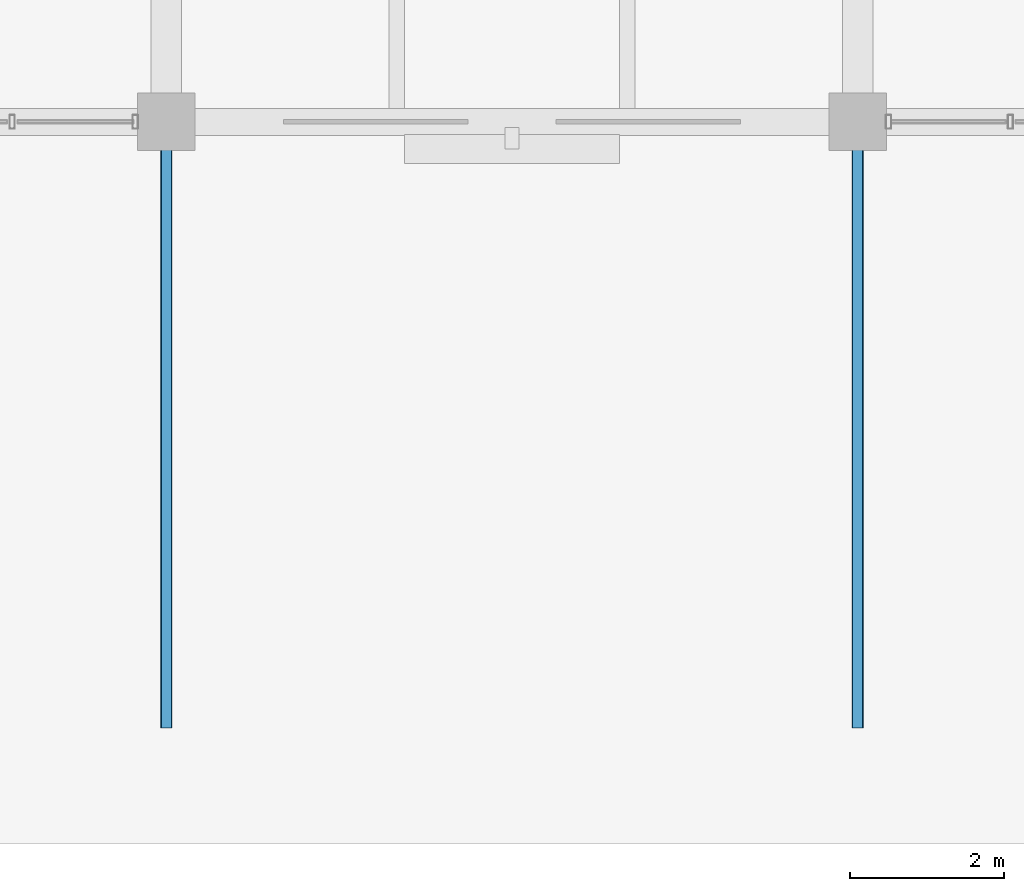
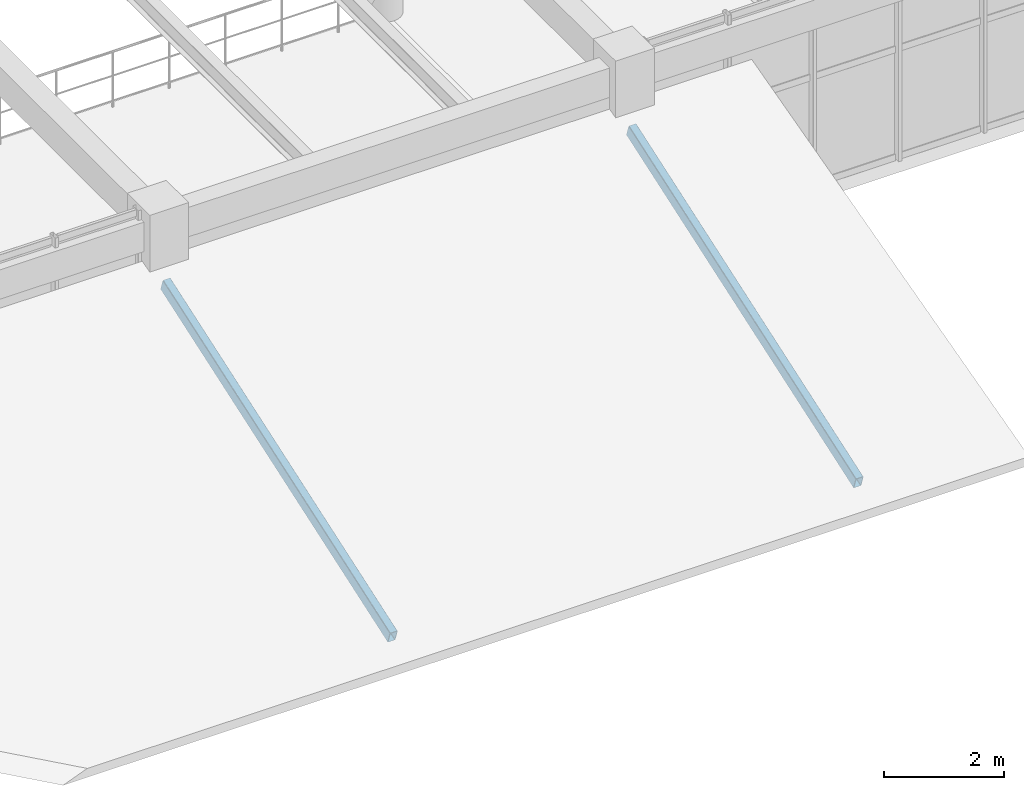
# One storey, part 28 of 148: 2 members.
"""IFC4 building model written with IfcOpenShell, lengths in metres."""

from ifc_helpers import new_model, si_unit, derived_unit, direction, frame, origin, origin_2d, place, context, subcontext, project, spatial, hollow_rectangle, extrude, material, material_profile, profile_set, type_object, element, save


model = new_model("IFC4")

# Units and contexts
model_context = context("Model", 3, precision=1e-05, world=origin(), true_north=direction((0.0, 1.0)))
body_context = subcontext(model_context, "Body", "Model", "MODEL_VIEW")
ifc_project = project(units=[si_unit("LENGTHUNIT", "METRE"), si_unit("AREAUNIT", "SQUARE_METRE"), si_unit("VOLUMEUNIT", "CUBIC_METRE"), si_unit("PLANEANGLEUNIT", "RADIAN"), si_unit("MASSUNIT", "GRAM", prefix="KILO"), derived_unit("THERMALTRANSMITTANCEUNIT", [(si_unit("MASSUNIT", "GRAM", prefix="KILO"), 1), (si_unit("TIMEUNIT", "SECOND"), -3), (si_unit("THERMODYNAMICTEMPERATUREUNIT", "KELVIN"), -1)])], contexts=[model_context])

# Site, building, storey
site_placement = place(None, origin())
site = spatial("IfcSite", under=ifc_project, at=site_placement, CompositionType="ELEMENT")
building_placement = place(site_placement, origin())
building = spatial("IfcBuilding", under=site, at=building_placement, Name="Zhenchuan Archway Interchange", CompositionType="ELEMENT")
storey_placement = place(building_placement, frame((0.0, 0.0, 10.199951171875)))
storey = spatial("IfcBuildingStorey", under=building, at=storey_placement, Name="L02", CompositionType="ELEMENT", Elevation=10.199951171875)

# Members
ifc_material = material(Name="Steel Q355", Category="steel")
ifc_material_profile = material_profile(ifc_material, hollow_rectangle(XDim=0.14990234375, YDim=0.25, WallThickness=0.008056640625, InnerFilletRadius=0.008056640625, OuterFilletRadius=0.01611328125, at=origin_2d()), Name="RHS 250x150x8")
ifc_profile_set = profile_set([ifc_material_profile], Name="Steel Q355")
member_type = type_object("IfcMemberType", Name="MB_RHS250", PredefinedType="PURLIN", material=ifc_profile_set)
for number, where, z_axis, x_axis, name in (
    (1, (54.0, 16.14990234375, 0.0), (0.0, 0.946161535326, 0.323694839423), (-1.0, 0.0, 0.0), "Concourse south entry roof rafter X54"),
    (2, (63.0, 16.14990234375, 0.0), (0.0, 0.946161535326, 0.323694839423), (-1.0, 0.0, 0.0), "Concourse south entry roof rafter X63"),
):
    element("IfcMember", number, at=place(storey_placement, frame(where, z_axis=z_axis, x_axis=x_axis)), inside=storey, type_object=member_type, Name=name, PredefinedType="PURLIN", context=body_context, shape_type="SweptSolid", body=[
        extrude(hollow_rectangle(XDim=0.14990234375, YDim=0.25, WallThickness=0.008056640625, InnerFilletRadius=0.008056640625, OuterFilletRadius=0.01611328125, at=origin_2d()), origin(), (0.0, 0.0, 1.0), 8.032470703125),
    ])

save(model, "model.ifc")
